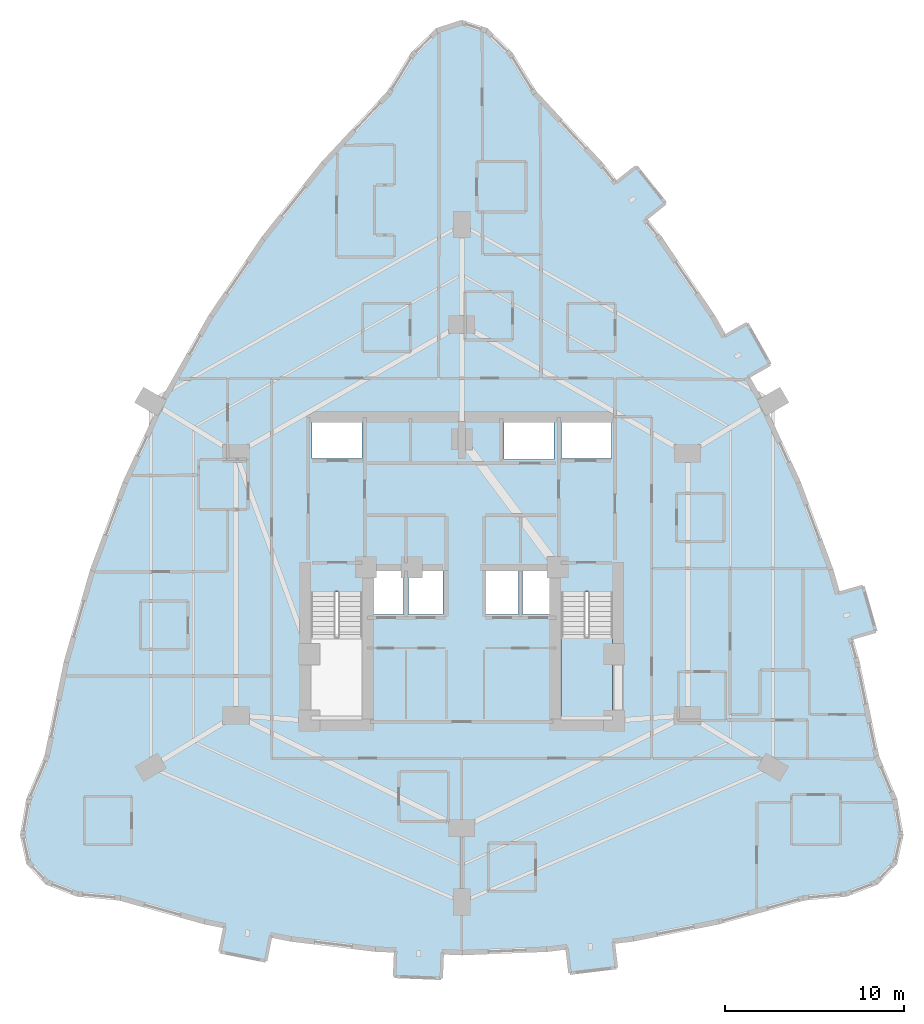
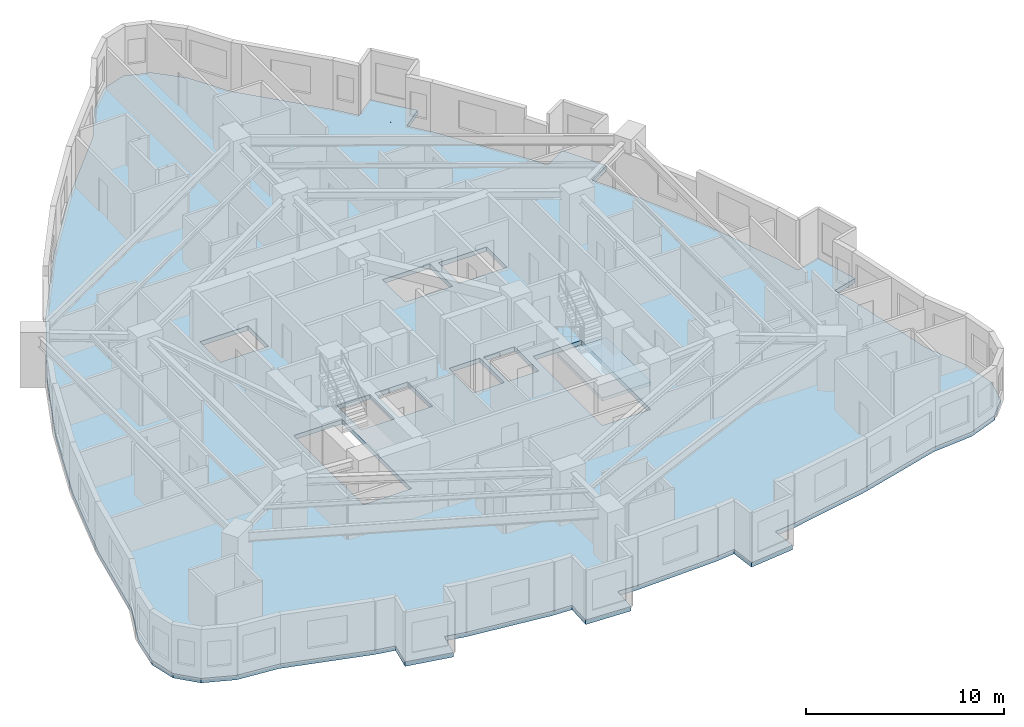
# One storey, part 3 of 13: 2 slabs, 1 element without a shape of its own.
"""IFC4 building model written with IfcOpenShell, lengths in metres."""

from ifc_helpers import new_model, si_unit, direction, frame, origin, place, context, subcontext, project, spatial, polyline, outline, extrude, material, layer, layer_set, type_object, element, aggregate, save


model = new_model("IFC4")

# Units and contexts
model_context = context("Model", 3, precision=1e-05, world=origin(), true_north=direction((0.0, 1.0)))
body_context = subcontext(model_context, "Body", "Model", "MODEL_VIEW")
ifc_project = project(units=[si_unit("LENGTHUNIT", "METRE"), si_unit("AREAUNIT", "SQUARE_METRE"), si_unit("VOLUMEUNIT", "CUBIC_METRE"), si_unit("PLANEANGLEUNIT", "RADIAN"), si_unit("MASSUNIT", "GRAM", prefix="KILO")], contexts=[model_context])

# Site, building, storey
site_placement = place(None, origin())
site = spatial("IfcSite", under=ifc_project, at=site_placement, CompositionType="ELEMENT")
building_placement = place(site_placement, origin())
building = spatial("IfcBuilding", under=site, at=building_placement, Name="Miruveldt Soraemaru", CompositionType="ELEMENT")
storey_placement = place(building_placement, frame((0.0, 0.0, 59.800048828125)))
storey = spatial("IfcBuildingStorey", under=building, at=storey_placement, Name="L16", CompositionType="ELEMENT", Elevation=59.800048828125)

# Stair, slab
ifc_material = material(Name="Concrete C40/50 (40 MPa)", Category="concrete")
stair_type = type_object("IfcStairType", Name="STAIR-DL-340", PredefinedType="HALF_TURN_STAIR", material=ifc_material)
stair_placement = place(storey_placement, origin())
stair = element("IfcStair", 1, at=stair_placement, inside=storey, type_object=stair_type, Name="L16 Protected Exit Stair ST-2", PredefinedType="HALF_TURN_STAIR")
ifc_layer_1 = layer(ifc_material, 0.199951171875, Name="Concrete C40/50 (40 MPa)", Category="concrete")
ifc_layer_set_1 = layer_set([ifc_layer_1], Name="Concrete C40/50 (40 MPa)")
slab_type_1 = type_object("IfcSlabType", Name="SLAB-LAND-200", PredefinedType="LANDING", material=ifc_layer_set_1)
slab_1_placement = place(storey_placement, frame((0.0, 0.0, 1.5)))
slab_1 = element("IfcSlab", 2, at=slab_1_placement, type_object=slab_type_1, Name="ST-2 landing 1", PredefinedType="LANDING", context=body_context, shape_type="SweptSolid", body=[
    extrude(outline(polyline([(49.550048828125, 40.197998046875), (49.550048828125, 35.64990234375), (52.39990234375, 35.64990234375), (52.39990234375, 40.197998046875), (49.550048828125, 40.197998046875)])), origin(), (0.0, 0.0, 1.0), 0.199951171875),
])
aggregate(stair, [slab_1])

# Slab
ifc_layer_2 = layer(ifc_material, 0.27490234375, Name="Concrete C40/50 (40 MPa)", Category="concrete")
ifc_layer_set_2 = layer_set([ifc_layer_2], Name="Concrete C40/50 (40 MPa)")
slab_type_2 = type_object("IfcSlabType", Name="SLAB-RES1-275", PredefinedType="FLOOR", material=ifc_layer_set_2)
slab_2_placement = place(storey_placement, frame((0.0, 0.0, -0.275146484375)))
element("IfcSlab", 3, at=slab_2_placement, inside=storey, type_object=slab_type_2, Name="L16 Structural Floor Slab", PredefinedType="FLOOR", context=body_context, shape_type="SweptSolid", body=[
    extrude(outline(polyline([(40.25732421875, 21.234619140625), (40.31640625, 22.71337890625), (39.23095703125, 22.7568359375), (34.4619140625, 23.3291015625), (32.077392578125, 23.805908203125), (33.35205078125, 23.551025390625), (33.061767578125, 22.099609375), (30.51220703125, 22.609619140625), (30.802490234375, 24.06103515625), (29.69287109375, 24.282958984375), (24.923583984375, 25.6181640625), (22.557373046875, 25.8369140625), (20.866943359375, 26.49267578125), (19.852783203125, 27.585693359375), (19.5146484375, 29.11572265625), (19.852783203125, 31.083251953125), (20.866943359375, 33.48779296875), (21.956298828125, 38.78125), (23.415771484375, 43.8837890625), (25.2451171875, 48.7958984375), (27.444580078125, 53.51708984375), (30.01416015625, 58.04736328125), (32.953857421875, 62.386962890625), (36.263427734375, 66.535888671875), (39.943359375, 70.493896484375), (41.29541015625, 72.679931640625), (42.647705078125, 73.991455078125), (44.0, 74.4287109375), (45.352294921875, 73.991455078125), (46.70458984375, 72.679931640625), (48.056640625, 70.493896484375), (51.736572265625, 66.535888671875), (52.58056640625, 65.4775390625), (53.737548828125, 66.400634765625), (55.359130859375, 64.3681640625), (54.2021484375, 63.4453125), (53.391357421875, 64.46142578125), (55.046142578125, 62.386962890625), (57.98583984375, 58.04736328125), (58.629150390625, 56.9130859375), (59.91650390625, 57.643310546875), (61.19921875, 55.381591796875), (59.912109375, 54.6513671875), (59.2705078125, 55.7822265625), (60.555419921875, 53.51708984375), (62.7548828125, 48.7958984375), (64.584228515625, 43.8837890625), (64.95654296875, 42.58251953125), (66.37939453125, 42.989501953125), (67.094482421875, 40.48974609375), (65.67138671875, 40.082763671875), (65.31396484375, 41.33251953125), (66.043701171875, 38.78125), (67.133056640625, 33.48779296875), (68.147216796875, 31.083251953125), (68.4853515625, 29.11572265625), (68.147216796875, 27.585693359375), (67.133056640625, 26.49267578125), (65.442626953125, 25.8369140625), (63.076416015625, 25.6181640625), (58.30712890625, 24.282958984375), (53.5380859375, 23.3291015625), (51.15380859375, 23.04296875), (52.4443359375, 23.19775390625), (52.62060546875, 21.728271484375), (50.039306640625, 21.418701171875), (49.86279296875, 22.88818359375), (48.76904296875, 22.7568359375), (44.0, 22.56591796875), (41.615478515625, 22.661376953125), (42.914306640625, 22.609375), (42.855224609375, 21.130615234375), (40.25732421875, 21.234619140625)]), holes=[polyline([(35.614990234375, 35.6650390625), (38.43505859375, 35.6650390625), (38.43505859375, 42.68505859375), (35.614990234375, 42.68505859375), (35.614990234375, 35.6650390625)]), polyline([(49.56494140625, 35.6650390625), (52.385009765625, 35.6650390625), (52.385009765625, 42.68505859375), (49.56494140625, 42.68505859375), (49.56494140625, 35.6650390625)]), polyline([(40.764892578125, 41.4150390625), (40.764892578125, 43.885009765625), (38.81494140625, 43.885009765625), (38.81494140625, 41.4150390625), (40.764892578125, 41.4150390625)]), polyline([(42.965087890625, 41.4150390625), (42.965087890625, 43.885009765625), (41.034912109375, 43.885009765625), (41.034912109375, 41.4150390625), (42.965087890625, 41.4150390625)]), polyline([(47.1650390625, 41.4150390625), (47.1650390625, 43.885009765625), (45.364990234375, 43.885009765625), (45.364990234375, 41.4150390625), (47.1650390625, 41.4150390625)]), polyline([(49.18505859375, 41.4150390625), (49.18505859375, 43.885009765625), (47.39501953125, 43.885009765625), (47.39501953125, 41.4150390625), (49.18505859375, 41.4150390625)]), polyline([(38.445068359375, 50.135009765625), (38.445068359375, 52.205078125), (35.635009765625, 52.205078125), (35.635009765625, 50.135009765625), (38.445068359375, 50.135009765625)]), polyline([(49.554931640625, 50.135009765625), (52.364990234375, 50.135009765625), (52.364990234375, 52.205078125), (49.554931640625, 52.205078125), (49.554931640625, 50.135009765625)]), polyline([(46.364990234375, 50.06494140625), (49.135009765625, 50.06494140625), (49.135009765625, 52.3349609375), (46.364990234375, 52.3349609375), (46.364990234375, 50.06494140625)])]), origin(), (0.0, 0.0, 1.0), 0.275146484375),
])

save(model, "model.ifc")
